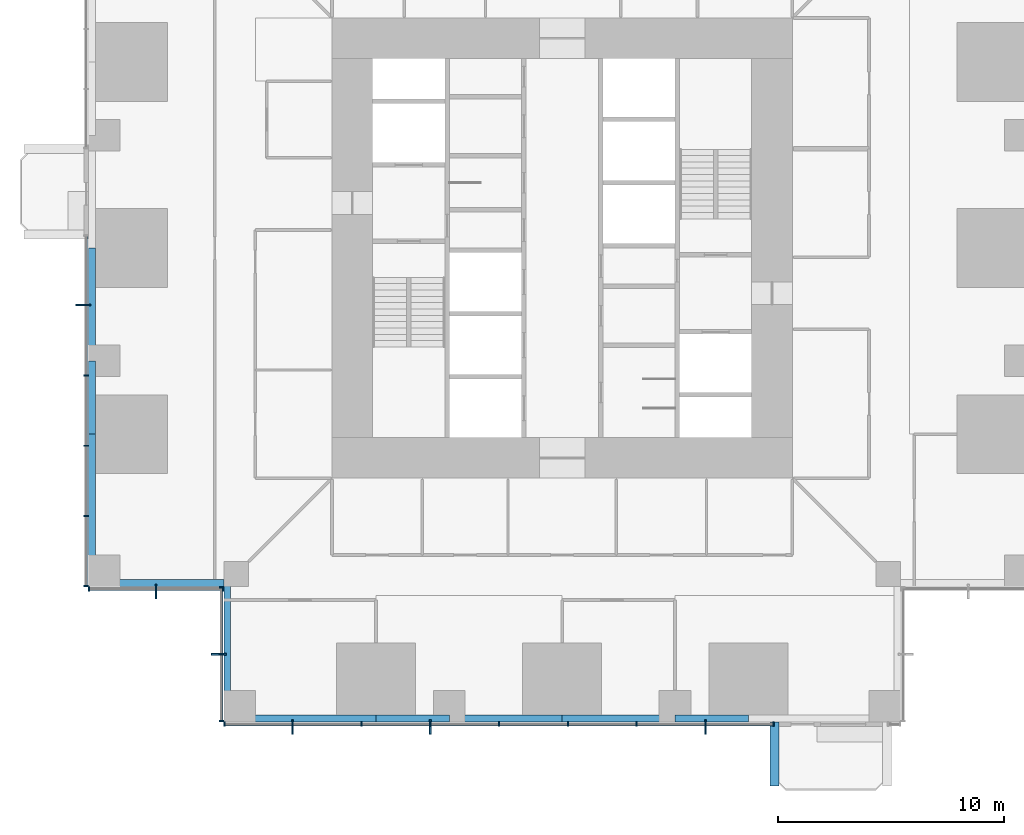
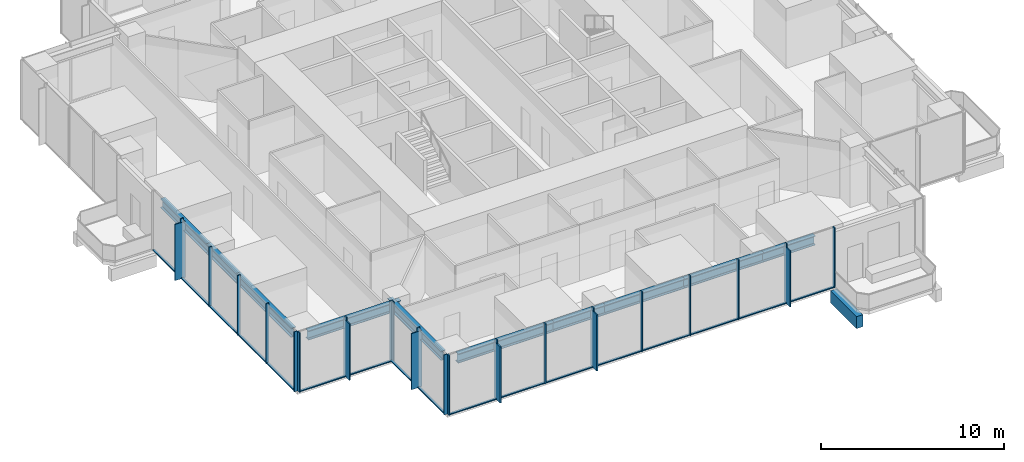
# One storey, part 2 of 15: 43 members, 11 beams, 4 elements without a shape of their own.
"""IFC4 building model written with IfcOpenShell, lengths in metres."""

from ifc_helpers import new_model, si_unit, direction, frame, origin, origin_2d, place, context, subcontext, project, spatial, rectangle, i_section, extrude, material, material_profile, profile_set, type_object, element, aggregate, save


model = new_model("IFC4")

# Units and contexts
model_context = context("Model", 3, precision=1e-05, world=origin(), true_north=direction((0.0, 1.0)))
body_context = subcontext(model_context, "Body", "Model", "MODEL_VIEW")
ifc_project = project(units=[si_unit("LENGTHUNIT", "METRE"), si_unit("AREAUNIT", "SQUARE_METRE"), si_unit("VOLUMEUNIT", "CUBIC_METRE"), si_unit("PLANEANGLEUNIT", "RADIAN"), si_unit("MASSUNIT", "GRAM", prefix="KILO")], contexts=[model_context])

# Site, building, storey
site_placement = place(None, origin())
site = spatial("IfcSite", under=ifc_project, at=site_placement, CompositionType="ELEMENT")
building_placement = place(site_placement, origin())
building = spatial("IfcBuilding", under=site, at=building_placement, Name="Svetlomir Tower", CompositionType="ELEMENT")
storey_placement = place(building_placement, frame((0.0, 0.0, 42.5)))
storey = spatial("IfcBuildingStorey", under=building, at=storey_placement, Name="L09", CompositionType="ELEMENT", Elevation=42.5)

# Beam
ifc_material_1 = material(Name="Concrete C60/75", Category="concrete")
ifc_material_profile_1 = material_profile(ifc_material_1, rectangle(XDim=0.39990234375, YDim=0.800048828125, at=origin_2d()), Name="RC 400x800")
ifc_profile_set_1 = profile_set([ifc_material_profile_1], Name="Concrete C60/75")
beam_type_1 = type_object("IfcBeamType", Name="BALCONY RIB RC 400x800", PredefinedType="BEAM", material=ifc_profile_set_1)
beam_1_placement = place(storey_placement, frame((30.39990234375, 0.0, -0.64990234375), z_axis=(0.0, -1.0, 0.0), x_axis=(1.0, 0.0, 0.0)))
element("IfcBeam", 1, at=beam_1_placement, inside=storey, type_object=beam_type_1, Name="Balcony rib S 1 L09", PredefinedType="BEAM", context=body_context, shape_type="SweptSolid", body=[
    extrude(rectangle(XDim=0.39990234375, YDim=0.800048828125, at=origin_2d()), origin(), (0.0, 0.0, 1.0), 2.85009765625),
])

# Curtain wall, members
ifc_material_2 = material(Name="Bronze anodised aluminium curtain wall", Category="aluminium")
curtain_wall_type = type_object("IfcCurtainWallType", Name="CURTAIN WALL CW1 TOWER OFFICE", PredefinedType="NOTDEFINED", material=ifc_material_2)
curtain_wall_1_placement = place(storey_placement, origin())
curtain_wall_1 = element("IfcCurtainWall", 2, at=curtain_wall_1_placement, inside=storey, type_object=curtain_wall_type, Name="Curtain wall CW1 L09", PredefinedType="NOTDEFINED")
ifc_material_3 = material(Name="Bronze anodised aluminium", Category="aluminium")
ifc_material_profile_2 = material_profile(ifc_material_3, rectangle(XDim=0.080078125, YDim=0.64990234375, at=origin_2d()), Name="FIN 80x650")
ifc_profile_set_2 = profile_set([ifc_material_profile_2], Name="Bronze anodised aluminium 6063-T6")
member_type_1 = type_object("IfcMemberType", Name="BRONZE FIN 80x650", PredefinedType="USERDEFINED", material=ifc_profile_set_2)
member_1_placement = place(storey_placement, frame((9.050048828125, -0.22509765625, 0.0), z_axis=(0.0, 0.0, 1.0), x_axis=(1.0, 0.0, 0.0)))
member_1 = element("IfcMember", 3, at=member_1_placement, type_object=member_type_1, Name="Bronze fin L09", ObjectType="FIN", PredefinedType="USERDEFINED", context=body_context, shape_type="SweptSolid", body=[
    extrude(rectangle(XDim=0.080078125, YDim=0.64990234375, at=origin_2d()), origin(), (0.0, 0.0, 1.0), 3.75),
])
member_2_placement = place(storey_placement, frame((15.14990234375, -0.22509765625, 0.0), z_axis=(0.0, 0.0, 1.0), x_axis=(1.0, 0.0, 0.0)))
member_2 = element("IfcMember", 4, at=member_2_placement, type_object=member_type_1, Name="Bronze fin L09", ObjectType="FIN", PredefinedType="USERDEFINED", context=body_context, shape_type="SweptSolid", body=[
    extrude(rectangle(XDim=0.080078125, YDim=0.64990234375, at=origin_2d()), origin(), (0.0, 0.0, 1.0), 3.75),
])
member_3_placement = place(storey_placement, frame((27.35009765625, -0.22509765625, 0.0), z_axis=(0.0, 0.0, 1.0), x_axis=(1.0, 0.0, 0.0)))
member_3 = element("IfcMember", 5, at=member_3_placement, type_object=member_type_1, Name="Bronze fin L09", ObjectType="FIN", PredefinedType="USERDEFINED", context=body_context, shape_type="SweptSolid", body=[
    extrude(rectangle(XDim=0.080078125, YDim=0.64990234375, at=origin_2d()), origin(), (0.0, 0.0, 1.0), 3.75),
])

# Curtain wall, member
curtain_wall_2_placement = place(storey_placement, origin())
curtain_wall_2 = element("IfcCurtainWall", 6, at=curtain_wall_2_placement, inside=storey, type_object=curtain_wall_type, Name="Curtain wall CW1 L09", PredefinedType="NOTDEFINED")
member_4_placement = place(storey_placement, frame((-0.22509765625, 18.47998046875, 0.0), z_axis=(0.0, 0.0, 1.0), x_axis=(0.0, 1.0, 0.0)))
member_4 = element("IfcMember", 7, at=member_4_placement, type_object=member_type_1, Name="Bronze fin L09", ObjectType="FIN", PredefinedType="USERDEFINED", context=body_context, shape_type="SweptSolid", body=[
    extrude(rectangle(XDim=0.080078125, YDim=0.64990234375, at=origin_2d()), origin(), (0.0, 0.0, 1.0), 3.75),
])

curtain_wall_3_placement = place(storey_placement, origin())
curtain_wall_3 = element("IfcCurtainWall", 8, at=curtain_wall_3_placement, inside=storey, type_object=curtain_wall_type, Name="Curtain wall CW1 L09", PredefinedType="NOTDEFINED")
member_5_placement = place(storey_placement, frame((3.0, 5.77490234375, 0.0), z_axis=(0.0, 0.0, 1.0), x_axis=(1.0, 0.0, 0.0)))
member_5 = element("IfcMember", 9, at=member_5_placement, type_object=member_type_1, Name="Bronze fin L09", ObjectType="FIN", PredefinedType="USERDEFINED", context=body_context, shape_type="SweptSolid", body=[
    extrude(rectangle(XDim=0.080078125, YDim=0.64990234375, at=origin_2d()), origin(), (0.0, 0.0, 1.0), 3.75),
])

curtain_wall_4_placement = place(storey_placement, origin())
curtain_wall_4 = element("IfcCurtainWall", 10, at=curtain_wall_4_placement, inside=storey, type_object=curtain_wall_type, Name="Curtain wall CW1 L09", PredefinedType="NOTDEFINED")
member_6_placement = place(storey_placement, frame((5.77490234375, 3.0, 0.0), z_axis=(0.0, 0.0, 1.0), x_axis=(0.0, 1.0, 0.0)))
member_6 = element("IfcMember", 11, at=member_6_placement, type_object=member_type_1, Name="Bronze fin L09", ObjectType="FIN", PredefinedType="USERDEFINED", context=body_context, shape_type="SweptSolid", body=[
    extrude(rectangle(XDim=0.080078125, YDim=0.64990234375, at=origin_2d()), origin(), (0.0, 0.0, 1.0), 3.75),
])

# Member
ifc_material_4 = material(Name="Bronze anodised aluminium", Category="aluminium")
ifc_material_profile_3 = material_profile(ifc_material_4, rectangle(XDim=0.06494140625, YDim=0.199951171875, at=origin_2d()), Name="AL 65x200")
ifc_profile_set_3 = profile_set([ifc_material_profile_3], Name="Bronze anodised aluminium 6063-T6")
member_type_2 = type_object("IfcMemberType", Name="CW1 MULLION 65x200", PredefinedType="MULLION", material=ifc_profile_set_3)
member_7_placement = place(storey_placement, frame((6.032470703125, -0.10009765625, 0.0), z_axis=(0.0, 0.0, 1.0), x_axis=(1.0, 0.0, 0.0)))
member_7 = element("IfcMember", 12, at=member_7_placement, type_object=member_type_2, Name="CW1 mullion 1", PredefinedType="MULLION", context=body_context, shape_type="SweptSolid", body=[
    extrude(rectangle(XDim=0.06494140625, YDim=0.199951171875, at=origin_2d()), origin(), (0.0, 0.0, 1.0), 4.0),
])

member_8_placement = place(storey_placement, frame((9.050048828125, -0.10009765625, 0.0), z_axis=(0.0, 0.0, 1.0), x_axis=(1.0, 0.0, 0.0)))
member_8 = element("IfcMember", 13, at=member_8_placement, type_object=member_type_2, Name="CW1 mullion 2", PredefinedType="MULLION", context=body_context, shape_type="SweptSolid", body=[
    extrude(rectangle(XDim=0.06494140625, YDim=0.199951171875, at=origin_2d()), origin(), (0.0, 0.0, 1.0), 4.0),
])

member_9_placement = place(storey_placement, frame((12.10009765625, -0.10009765625, 0.0), z_axis=(0.0, 0.0, 1.0), x_axis=(1.0, 0.0, 0.0)))
member_9 = element("IfcMember", 14, at=member_9_placement, type_object=member_type_2, Name="CW1 mullion 3", PredefinedType="MULLION", context=body_context, shape_type="SweptSolid", body=[
    extrude(rectangle(XDim=0.06494140625, YDim=0.199951171875, at=origin_2d()), origin(), (0.0, 0.0, 1.0), 4.0),
])

member_10_placement = place(storey_placement, frame((15.14990234375, -0.10009765625, 0.0), z_axis=(0.0, 0.0, 1.0), x_axis=(1.0, 0.0, 0.0)))
member_10 = element("IfcMember", 15, at=member_10_placement, type_object=member_type_2, Name="CW1 mullion 4", PredefinedType="MULLION", context=body_context, shape_type="SweptSolid", body=[
    extrude(rectangle(XDim=0.06494140625, YDim=0.199951171875, at=origin_2d()), origin(), (0.0, 0.0, 1.0), 4.0),
])

member_11_placement = place(storey_placement, frame((18.199951171875, -0.10009765625, 0.0), z_axis=(0.0, 0.0, 1.0), x_axis=(1.0, 0.0, 0.0)))
member_11 = element("IfcMember", 16, at=member_11_placement, type_object=member_type_2, Name="CW1 mullion 5", PredefinedType="MULLION", context=body_context, shape_type="SweptSolid", body=[
    extrude(rectangle(XDim=0.06494140625, YDim=0.199951171875, at=origin_2d()), origin(), (0.0, 0.0, 1.0), 4.0),
])

member_12_placement = place(storey_placement, frame((21.25, -0.10009765625, 0.0), z_axis=(0.0, 0.0, 1.0), x_axis=(1.0, 0.0, 0.0)))
member_12 = element("IfcMember", 17, at=member_12_placement, type_object=member_type_2, Name="CW1 mullion 6", PredefinedType="MULLION", context=body_context, shape_type="SweptSolid", body=[
    extrude(rectangle(XDim=0.06494140625, YDim=0.199951171875, at=origin_2d()), origin(), (0.0, 0.0, 1.0), 4.0),
])

member_13_placement = place(storey_placement, frame((24.300048828125, -0.10009765625, 0.0), z_axis=(0.0, 0.0, 1.0), x_axis=(1.0, 0.0, 0.0)))
member_13 = element("IfcMember", 18, at=member_13_placement, type_object=member_type_2, Name="CW1 mullion 7", PredefinedType="MULLION", context=body_context, shape_type="SweptSolid", body=[
    extrude(rectangle(XDim=0.06494140625, YDim=0.199951171875, at=origin_2d()), origin(), (0.0, 0.0, 1.0), 4.0),
])

member_14_placement = place(storey_placement, frame((27.35009765625, -0.10009765625, 0.0), z_axis=(0.0, 0.0, 1.0), x_axis=(1.0, 0.0, 0.0)))
member_14 = element("IfcMember", 19, at=member_14_placement, type_object=member_type_2, Name="CW1 mullion 8", PredefinedType="MULLION", context=body_context, shape_type="SweptSolid", body=[
    extrude(rectangle(XDim=0.06494140625, YDim=0.199951171875, at=origin_2d()), origin(), (0.0, 0.0, 1.0), 4.0),
])

member_15_placement = place(storey_placement, frame((30.367431640625, -0.10009765625, 0.0), z_axis=(0.0, 0.0, 1.0), x_axis=(1.0, 0.0, 0.0)))
member_15 = element("IfcMember", 20, at=member_15_placement, type_object=member_type_2, Name="CW1 mullion 9", PredefinedType="MULLION", context=body_context, shape_type="SweptSolid", body=[
    extrude(rectangle(XDim=0.06494140625, YDim=0.199951171875, at=origin_2d()), origin(), (0.0, 0.0, 1.0), 4.0),
])

member_16_placement = place(storey_placement, frame((-0.10009765625, 18.47998046875, 0.0), z_axis=(0.0, 0.0, 1.0), x_axis=(0.0, -1.0, 0.0)))
member_16 = element("IfcMember", 21, at=member_16_placement, type_object=member_type_2, Name="CW1 mullion 2", PredefinedType="MULLION", context=body_context, shape_type="SweptSolid", body=[
    extrude(rectangle(XDim=0.06494140625, YDim=0.199951171875, at=origin_2d()), origin(), (0.0, 0.0, 1.0), 4.0),
])

member_17_placement = place(storey_placement, frame((-0.10009765625, 15.360107421875, 0.0), z_axis=(0.0, 0.0, 1.0), x_axis=(0.0, -1.0, 0.0)))
member_17 = element("IfcMember", 22, at=member_17_placement, type_object=member_type_2, Name="CW1 mullion 3", PredefinedType="MULLION", context=body_context, shape_type="SweptSolid", body=[
    extrude(rectangle(XDim=0.06494140625, YDim=0.199951171875, at=origin_2d()), origin(), (0.0, 0.0, 1.0), 4.0),
])

member_18_placement = place(storey_placement, frame((-0.10009765625, 12.239990234375, 0.0), z_axis=(0.0, 0.0, 1.0), x_axis=(0.0, -1.0, 0.0)))
member_18 = element("IfcMember", 23, at=member_18_placement, type_object=member_type_2, Name="CW1 mullion 4", PredefinedType="MULLION", context=body_context, shape_type="SweptSolid", body=[
    extrude(rectangle(XDim=0.06494140625, YDim=0.199951171875, at=origin_2d()), origin(), (0.0, 0.0, 1.0), 4.0),
])

member_19_placement = place(storey_placement, frame((-0.10009765625, 9.1201171875, 0.0), z_axis=(0.0, 0.0, 1.0), x_axis=(0.0, -1.0, 0.0)))
member_19 = element("IfcMember", 24, at=member_19_placement, type_object=member_type_2, Name="CW1 mullion 5", PredefinedType="MULLION", context=body_context, shape_type="SweptSolid", body=[
    extrude(rectangle(XDim=0.06494140625, YDim=0.199951171875, at=origin_2d()), origin(), (0.0, 0.0, 1.0), 4.0),
])

member_20_placement = place(storey_placement, frame((-0.10009765625, 6.032470703125, 0.0), z_axis=(0.0, 0.0, 1.0), x_axis=(0.0, -1.0, 0.0)))
member_20 = element("IfcMember", 25, at=member_20_placement, type_object=member_type_2, Name="CW1 mullion 6", PredefinedType="MULLION", context=body_context, shape_type="SweptSolid", body=[
    extrude(rectangle(XDim=0.06494140625, YDim=0.199951171875, at=origin_2d()), origin(), (0.0, 0.0, 1.0), 4.0),
])

member_21_placement = place(storey_placement, frame((0.032470703125, 5.89990234375, 0.0), z_axis=(0.0, 0.0, 1.0), x_axis=(1.0, 0.0, 0.0)))
member_21 = element("IfcMember", 26, at=member_21_placement, type_object=member_type_2, Name="CW1 mullion 1", PredefinedType="MULLION", context=body_context, shape_type="SweptSolid", body=[
    extrude(rectangle(XDim=0.06494140625, YDim=0.199951171875, at=origin_2d()), origin(), (0.0, 0.0, 1.0), 4.0),
])

member_22_placement = place(storey_placement, frame((3.0, 5.89990234375, 0.0), z_axis=(0.0, 0.0, 1.0), x_axis=(1.0, 0.0, 0.0)))
member_22 = element("IfcMember", 27, at=member_22_placement, type_object=member_type_2, Name="CW1 mullion 2", PredefinedType="MULLION", context=body_context, shape_type="SweptSolid", body=[
    extrude(rectangle(XDim=0.06494140625, YDim=0.199951171875, at=origin_2d()), origin(), (0.0, 0.0, 1.0), 4.0),
])

member_23_placement = place(storey_placement, frame((5.967529296875, 5.89990234375, 0.0), z_axis=(0.0, 0.0, 1.0), x_axis=(1.0, 0.0, 0.0)))
member_23 = element("IfcMember", 28, at=member_23_placement, type_object=member_type_2, Name="CW1 mullion 3", PredefinedType="MULLION", context=body_context, shape_type="SweptSolid", body=[
    extrude(rectangle(XDim=0.06494140625, YDim=0.199951171875, at=origin_2d()), origin(), (0.0, 0.0, 1.0), 4.0),
])

member_24_placement = place(storey_placement, frame((5.89990234375, 5.967529296875, 0.0), z_axis=(0.0, 0.0, 1.0), x_axis=(0.0, -1.0, 0.0)))
member_24 = element("IfcMember", 29, at=member_24_placement, type_object=member_type_2, Name="CW1 mullion 1", PredefinedType="MULLION", context=body_context, shape_type="SweptSolid", body=[
    extrude(rectangle(XDim=0.06494140625, YDim=0.199951171875, at=origin_2d()), origin(), (0.0, 0.0, 1.0), 4.0),
])

member_25_placement = place(storey_placement, frame((5.89990234375, 3.0, 0.0), z_axis=(0.0, 0.0, 1.0), x_axis=(0.0, -1.0, 0.0)))
member_25 = element("IfcMember", 30, at=member_25_placement, type_object=member_type_2, Name="CW1 mullion 2", PredefinedType="MULLION", context=body_context, shape_type="SweptSolid", body=[
    extrude(rectangle(XDim=0.06494140625, YDim=0.199951171875, at=origin_2d()), origin(), (0.0, 0.0, 1.0), 4.0),
])

member_26_placement = place(storey_placement, frame((5.89990234375, 0.032470703125, 0.0), z_axis=(0.0, 0.0, 1.0), x_axis=(0.0, -1.0, 0.0)))
member_26 = element("IfcMember", 31, at=member_26_placement, type_object=member_type_2, Name="CW1 mullion 3", PredefinedType="MULLION", context=body_context, shape_type="SweptSolid", body=[
    extrude(rectangle(XDim=0.06494140625, YDim=0.199951171875, at=origin_2d()), origin(), (0.0, 0.0, 1.0), 4.0),
])

ifc_material_5 = material(Name="Bronze anodised aluminium", Category="aluminium")
ifc_material_profile_4 = material_profile(ifc_material_5, rectangle(XDim=0.139892578125, YDim=0.06494140625, at=origin_2d()), Name="AL 140x65")
ifc_profile_set_4 = profile_set([ifc_material_profile_4], Name="Bronze anodised aluminium 6063-T6")
member_type_3 = type_object("IfcMemberType", Name="CW1 TRANSOM 65x140", PredefinedType="USERDEFINED", material=ifc_profile_set_4)
member_27_placement = place(storey_placement, frame((6.06494140625, -0.10009765625, 0.032470703125), z_axis=(1.0, 0.0, 0.0), x_axis=(0.0, 1.0, 0.0)))
member_27 = element("IfcMember", 32, at=member_27_placement, type_object=member_type_3, Name="CW1 transom 1.1", ObjectType="TRANSOM", PredefinedType="USERDEFINED", context=body_context, shape_type="SweptSolid", body=[
    extrude(rectangle(XDim=0.139892578125, YDim=0.06494140625, at=origin_2d()), origin(), (0.0, 0.0, 1.0), 2.95263671875),
])

member_28_placement = place(storey_placement, frame((9.08251953125, -0.10009765625, 0.032470703125), z_axis=(1.0, 0.0, 0.0), x_axis=(0.0, 1.0, 0.0)))
member_28 = element("IfcMember", 33, at=member_28_placement, type_object=member_type_3, Name="CW1 transom 2.1", ObjectType="TRANSOM", PredefinedType="USERDEFINED", context=body_context, shape_type="SweptSolid", body=[
    extrude(rectangle(XDim=0.139892578125, YDim=0.06494140625, at=origin_2d()), origin(), (0.0, 0.0, 1.0), 2.98486328125),
])

member_29_placement = place(storey_placement, frame((12.132568359375, -0.10009765625, 0.032470703125), z_axis=(1.0, 0.0, 0.0), x_axis=(0.0, 1.0, 0.0)))
member_29 = element("IfcMember", 34, at=member_29_placement, type_object=member_type_3, Name="CW1 transom 3.1", ObjectType="TRANSOM", PredefinedType="USERDEFINED", context=body_context, shape_type="SweptSolid", body=[
    extrude(rectangle(XDim=0.139892578125, YDim=0.06494140625, at=origin_2d()), origin(), (0.0, 0.0, 1.0), 2.98486328125),
])

member_30_placement = place(storey_placement, frame((15.1826171875, -0.10009765625, 0.032470703125), z_axis=(1.0, 0.0, 0.0), x_axis=(0.0, 1.0, 0.0)))
member_30 = element("IfcMember", 35, at=member_30_placement, type_object=member_type_3, Name="CW1 transom 4.1", ObjectType="TRANSOM", PredefinedType="USERDEFINED", context=body_context, shape_type="SweptSolid", body=[
    extrude(rectangle(XDim=0.139892578125, YDim=0.06494140625, at=origin_2d()), origin(), (0.0, 0.0, 1.0), 2.98486328125),
])

member_31_placement = place(storey_placement, frame((18.232421875, -0.10009765625, 0.032470703125), z_axis=(1.0, 0.0, 0.0), x_axis=(0.0, 1.0, 0.0)))
member_31 = element("IfcMember", 36, at=member_31_placement, type_object=member_type_3, Name="CW1 transom 5.1", ObjectType="TRANSOM", PredefinedType="USERDEFINED", context=body_context, shape_type="SweptSolid", body=[
    extrude(rectangle(XDim=0.139892578125, YDim=0.06494140625, at=origin_2d()), origin(), (0.0, 0.0, 1.0), 2.985107421875),
])

member_32_placement = place(storey_placement, frame((21.282470703125, -0.10009765625, 0.032470703125), z_axis=(1.0, 0.0, 0.0), x_axis=(0.0, 1.0, 0.0)))
member_32 = element("IfcMember", 37, at=member_32_placement, type_object=member_type_3, Name="CW1 transom 6.1", ObjectType="TRANSOM", PredefinedType="USERDEFINED", context=body_context, shape_type="SweptSolid", body=[
    extrude(rectangle(XDim=0.139892578125, YDim=0.06494140625, at=origin_2d()), origin(), (0.0, 0.0, 1.0), 2.985107421875),
])

member_33_placement = place(storey_placement, frame((24.33251953125, -0.10009765625, 0.032470703125), z_axis=(1.0, 0.0, 0.0), x_axis=(0.0, 1.0, 0.0)))
member_33 = element("IfcMember", 38, at=member_33_placement, type_object=member_type_3, Name="CW1 transom 7.1", ObjectType="TRANSOM", PredefinedType="USERDEFINED", context=body_context, shape_type="SweptSolid", body=[
    extrude(rectangle(XDim=0.139892578125, YDim=0.06494140625, at=origin_2d()), origin(), (0.0, 0.0, 1.0), 2.98486328125),
])

member_34_placement = place(storey_placement, frame((27.382568359375, -0.10009765625, 0.032470703125), z_axis=(1.0, 0.0, 0.0), x_axis=(0.0, 1.0, 0.0)))
member_34 = element("IfcMember", 39, at=member_34_placement, type_object=member_type_3, Name="CW1 transom 8.1", ObjectType="TRANSOM", PredefinedType="USERDEFINED", context=body_context, shape_type="SweptSolid", body=[
    extrude(rectangle(XDim=0.139892578125, YDim=0.06494140625, at=origin_2d()), origin(), (0.0, 0.0, 1.0), 2.952392578125),
])

aggregate(curtain_wall_1, [member_7, member_8, member_9, member_10, member_11, member_12, member_13, member_14, member_15, member_27, member_28, member_29, member_30, member_31, member_32, member_33, member_34, member_1, member_2, member_3])

member_35_placement = place(storey_placement, frame((-0.10009765625, 21.534912109375, 0.032470703125), z_axis=(0.0, -1.0, 0.0), x_axis=(1.0, 0.0, 0.0)))
member_35 = element("IfcMember", 40, at=member_35_placement, type_object=member_type_3, Name="CW1 transom 1.1", ObjectType="TRANSOM", PredefinedType="USERDEFINED", context=body_context, shape_type="SweptSolid", body=[
    extrude(rectangle(XDim=0.139892578125, YDim=0.06494140625, at=origin_2d()), origin(), (0.0, 0.0, 1.0), 3.0224609375),
])

member_36_placement = place(storey_placement, frame((-0.10009765625, 18.447509765625, 0.032470703125), z_axis=(0.0, -1.0, 0.0), x_axis=(1.0, 0.0, 0.0)))
member_36 = element("IfcMember", 41, at=member_36_placement, type_object=member_type_3, Name="CW1 transom 2.1", ObjectType="TRANSOM", PredefinedType="USERDEFINED", context=body_context, shape_type="SweptSolid", body=[
    extrude(rectangle(XDim=0.139892578125, YDim=0.06494140625, at=origin_2d()), origin(), (0.0, 0.0, 1.0), 3.054931640625),
])

member_37_placement = place(storey_placement, frame((-0.10009765625, 15.327392578125, 0.032470703125), z_axis=(0.0, -1.0, 0.0), x_axis=(1.0, 0.0, 0.0)))
member_37 = element("IfcMember", 42, at=member_37_placement, type_object=member_type_3, Name="CW1 transom 3.1", ObjectType="TRANSOM", PredefinedType="USERDEFINED", context=body_context, shape_type="SweptSolid", body=[
    extrude(rectangle(XDim=0.139892578125, YDim=0.06494140625, at=origin_2d()), origin(), (0.0, 0.0, 1.0), 3.054931640625),
])

member_38_placement = place(storey_placement, frame((-0.10009765625, 12.20751953125, 0.032470703125), z_axis=(0.0, -1.0, 0.0), x_axis=(1.0, 0.0, 0.0)))
member_38 = element("IfcMember", 43, at=member_38_placement, type_object=member_type_3, Name="CW1 transom 4.1", ObjectType="TRANSOM", PredefinedType="USERDEFINED", context=body_context, shape_type="SweptSolid", body=[
    extrude(rectangle(XDim=0.139892578125, YDim=0.06494140625, at=origin_2d()), origin(), (0.0, 0.0, 1.0), 3.054931640625),
])

member_39_placement = place(storey_placement, frame((-0.10009765625, 9.08740234375, 0.032470703125), z_axis=(0.0, -1.0, 0.0), x_axis=(1.0, 0.0, 0.0)))
member_39 = element("IfcMember", 44, at=member_39_placement, type_object=member_type_3, Name="CW1 transom 5.1", ObjectType="TRANSOM", PredefinedType="USERDEFINED", context=body_context, shape_type="SweptSolid", body=[
    extrude(rectangle(XDim=0.139892578125, YDim=0.06494140625, at=origin_2d()), origin(), (0.0, 0.0, 1.0), 3.0224609375),
])

aggregate(curtain_wall_2, [member_16, member_17, member_18, member_19, member_20, member_35, member_36, member_37, member_38, member_39, member_4])

member_40_placement = place(storey_placement, frame((0.06494140625, 5.89990234375, 0.032470703125), z_axis=(1.0, 0.0, 0.0), x_axis=(0.0, 1.0, 0.0)))
member_40 = element("IfcMember", 45, at=member_40_placement, type_object=member_type_3, Name="CW1 transom 1.1", ObjectType="TRANSOM", PredefinedType="USERDEFINED", context=body_context, shape_type="SweptSolid", body=[
    extrude(rectangle(XDim=0.139892578125, YDim=0.06494140625, at=origin_2d()), origin(), (0.0, 0.0, 1.0), 2.902587890625),
])

member_41_placement = place(storey_placement, frame((3.032470703125, 5.89990234375, 0.032470703125), z_axis=(1.0, 0.0, 0.0), x_axis=(0.0, 1.0, 0.0)))
member_41 = element("IfcMember", 46, at=member_41_placement, type_object=member_type_3, Name="CW1 transom 2.1", ObjectType="TRANSOM", PredefinedType="USERDEFINED", context=body_context, shape_type="SweptSolid", body=[
    extrude(rectangle(XDim=0.139892578125, YDim=0.06494140625, at=origin_2d()), origin(), (0.0, 0.0, 1.0), 2.902587890625),
])

aggregate(curtain_wall_3, [member_21, member_22, member_23, member_40, member_41, member_5])

member_42_placement = place(storey_placement, frame((5.89990234375, 5.93505859375, 0.032470703125), z_axis=(0.0, -1.0, 0.0), x_axis=(1.0, 0.0, 0.0)))
member_42 = element("IfcMember", 47, at=member_42_placement, type_object=member_type_3, Name="CW1 transom 1.1", ObjectType="TRANSOM", PredefinedType="USERDEFINED", context=body_context, shape_type="SweptSolid", body=[
    extrude(rectangle(XDim=0.139892578125, YDim=0.06494140625, at=origin_2d()), origin(), (0.0, 0.0, 1.0), 2.902587890625),
])

member_43_placement = place(storey_placement, frame((5.89990234375, 2.967529296875, 0.032470703125), z_axis=(0.0, -1.0, 0.0), x_axis=(1.0, 0.0, 0.0)))
member_43 = element("IfcMember", 48, at=member_43_placement, type_object=member_type_3, Name="CW1 transom 2.1", ObjectType="TRANSOM", PredefinedType="USERDEFINED", context=body_context, shape_type="SweptSolid", body=[
    extrude(rectangle(XDim=0.139892578125, YDim=0.06494140625, at=origin_2d()), origin(), (0.0, 0.0, 1.0), 2.902587890625),
])

aggregate(curtain_wall_4, [member_24, member_25, member_26, member_42, member_43, member_6])

# Beams
ifc_material_6 = material(Name="Steel S355", Category="steel")
ifc_material_profile_5 = material_profile(ifc_material_6, i_section(OverallWidth=0.304931640625, OverallDepth=0.6201171875, WebThickness=0.02099609375, FlangeThickness=0.0400390625, FilletRadius=0.027099609375, at=origin_2d()), Name="HEM 600")
ifc_profile_set_5 = profile_set([ifc_material_profile_5], Name="Steel S355")
beam_type_2 = type_object("IfcBeamType", Name="EDGE BEAM HEM 600", PredefinedType="SPANDREL", material=ifc_profile_set_5)
for number, where, z_axis, x_axis, name in (
    (49, (6.699951171875, 0.152587890625, 3.43994140625), (1.0, 0.0, 0.0), (0.0, 1.0, 0.0), "Edge beam 6/0 to 11/0 under L10"),
    (50, (0.152587890625, 6.699951171875, 3.43994140625), (0.0, 1.0, 0.0), (-1.0, 0.0, 0.0), "Edge beam 0/6 to 0/11 under L10"),
):
    element("IfcBeam", number, at=place(storey_placement, frame(where, z_axis=z_axis, x_axis=x_axis)), inside=storey, type_object=beam_type_2, Name=name, PredefinedType="SPANDREL", context=body_context, shape_type="SweptSolid", body=[
        extrude(i_section(OverallWidth=0.304931640625, OverallDepth=0.6201171875, WebThickness=0.02099609375, FlangeThickness=0.0400390625, FilletRadius=0.027099609375, at=origin_2d()), origin(), (0.0, 0.0, 1.0), 6.050048828125),
    ])
for number, where, z_axis, x_axis, name in (
    (51, (12.75, 0.152587890625, 3.43994140625), (1.0, 0.0, 0.0), (0.0, 1.0, 0.0), "Edge beam 11/0 to 16/0 under L10"),
    (52, (0.152587890625, 12.75, 3.43994140625), (0.0, 1.0, 0.0), (-1.0, 0.0, 0.0), "Edge beam 0/11 to 0/16 under L10"),
):
    element("IfcBeam", number, at=place(storey_placement, frame(where, z_axis=z_axis, x_axis=x_axis)), inside=storey, type_object=beam_type_2, Name=name, PredefinedType="SPANDREL", context=body_context, shape_type="SweptSolid", body=[
        extrude(i_section(OverallWidth=0.304931640625, OverallDepth=0.6201171875, WebThickness=0.02099609375, FlangeThickness=0.0400390625, FilletRadius=0.027099609375, at=origin_2d()), origin(), (0.0, 0.0, 1.0), 3.25),
    ])
for number, where, z_axis, x_axis, name in (
    (53, (16.0, 0.152587890625, 3.43994140625), (1.0, 0.0, 0.0), (0.0, 1.0, 0.0), "Edge beam 16/0 to 21/0 under L10"),
    (54, (0.152587890625, 16.0, 3.43994140625), (0.0, 1.0, 0.0), (-1.0, 0.0, 0.0), "Edge beam 0/16 to 0/21 under L10"),
    (55, (21.0, 0.152587890625, 3.43994140625), (1.0, 0.0, 0.0), (0.0, 1.0, 0.0), "Edge beam 21/0 to 26/0 under L10"),
):
    element("IfcBeam", number, at=place(storey_placement, frame(where, z_axis=z_axis, x_axis=x_axis)), inside=storey, type_object=beam_type_2, Name=name, PredefinedType="SPANDREL", context=body_context, shape_type="SweptSolid", body=[
        extrude(i_section(OverallWidth=0.304931640625, OverallDepth=0.6201171875, WebThickness=0.02099609375, FlangeThickness=0.0400390625, FilletRadius=0.027099609375, at=origin_2d()), origin(), (0.0, 0.0, 1.0), 5.0),
    ])
beam_2_placement = place(storey_placement, frame((26.0, 0.152587890625, 3.43994140625), z_axis=(1.0, 0.0, 0.0), x_axis=(0.0, 1.0, 0.0)))
element("IfcBeam", 56, at=beam_2_placement, inside=storey, type_object=beam_type_2, Name="Edge beam 26/0 to 31/0 under L10", PredefinedType="SPANDREL", context=body_context, shape_type="SweptSolid", body=[
    extrude(i_section(OverallWidth=0.304931640625, OverallDepth=0.6201171875, WebThickness=0.02099609375, FlangeThickness=0.0400390625, FilletRadius=0.027099609375, at=origin_2d()), origin(), (0.0, 0.0, 1.0), 3.25),
])
for number, where, z_axis, x_axis, name in (
    (57, (6.152587890625, 0.699951171875, 3.43994140625), (0.0, 1.0, 0.0), (-1.0, 0.0, 0.0), "Edge beam 6/0 to 6/6 under L10"),
    (58, (0.699951171875, 6.152587890625, 3.43994140625), (1.0, 0.0, 0.0), (0.0, 1.0, 0.0), "Edge beam 0/6 to 6/6 under L10"),
):
    element("IfcBeam", number, at=place(storey_placement, frame(where, z_axis=z_axis, x_axis=x_axis)), inside=storey, type_object=beam_type_2, Name=name, PredefinedType="SPANDREL", context=body_context, shape_type="SweptSolid", body=[
        extrude(i_section(OverallWidth=0.304931640625, OverallDepth=0.6201171875, WebThickness=0.02099609375, FlangeThickness=0.0400390625, FilletRadius=0.027099609375, at=origin_2d()), origin(), (0.0, 0.0, 1.0), 5.85009765625),
    ])

save(model, "model.ifc")
